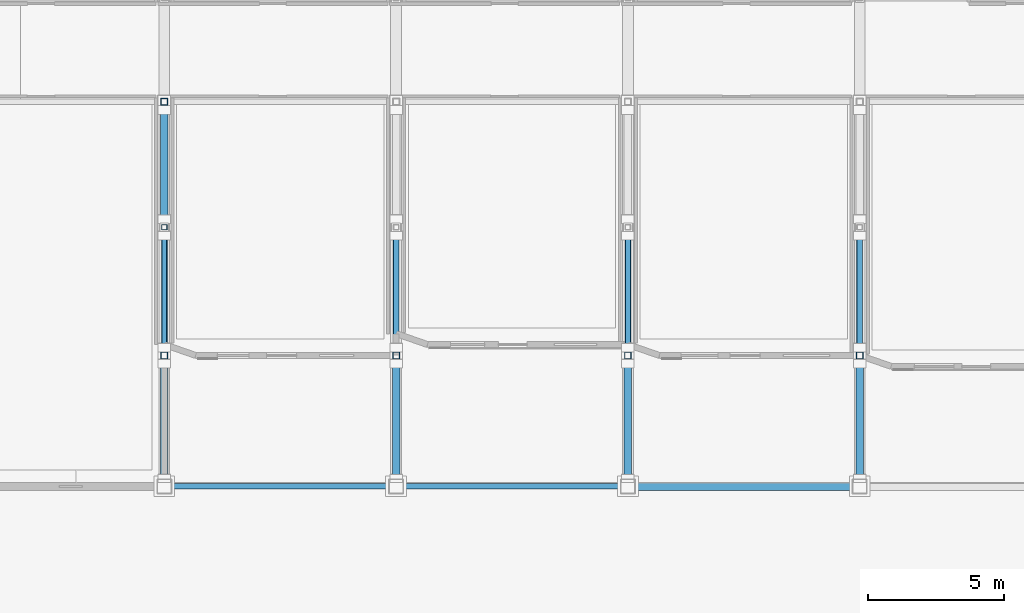
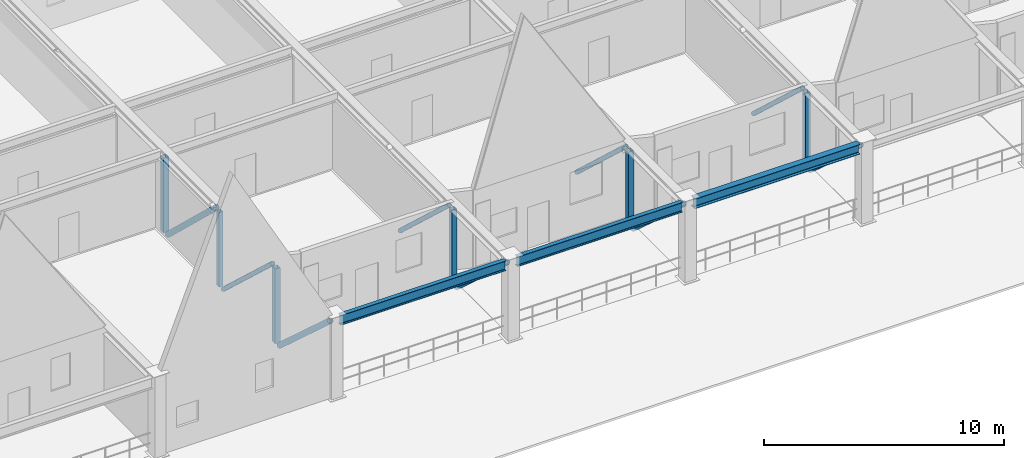
# One storey, part 29 of 78: 15 members, 3 beams.
"""IFC4 building model written with IfcOpenShell, lengths in metres."""

from ifc_helpers import new_model, si_unit, direction, frame, origin, origin_2d, place, context, subcontext, project, spatial, hollow_rectangle, hollow_circle, i_section, extrude, material, material_profile, profile_set, type_object, element, save


model = new_model("IFC4")

# Units and contexts
model_context = context("Model", 3, precision=1e-05, world=origin(), true_north=direction((0.0, 1.0)))
body_context = subcontext(model_context, "Body", "Model", "MODEL_VIEW")
ifc_project = project(units=[si_unit("LENGTHUNIT", "METRE"), si_unit("AREAUNIT", "SQUARE_METRE"), si_unit("VOLUMEUNIT", "CUBIC_METRE"), si_unit("PLANEANGLEUNIT", "RADIAN"), si_unit("MASSUNIT", "GRAM", prefix="KILO"), si_unit("THERMODYNAMICTEMPERATUREUNIT", "KELVIN"), si_unit("POWERUNIT", "WATT")], contexts=[model_context])

# Site, building, storey
site_placement = place(None, origin())
site = spatial("IfcSite", under=ifc_project, at=site_placement, CompositionType="ELEMENT")
building_placement = place(site_placement, origin())
building = spatial("IfcBuilding", under=site, at=building_placement, Name="Zhenchuan Central Fire Station", CompositionType="ELEMENT")
storey_placement = place(building_placement, frame((0.0, 0.0, 5.85009765625)))
storey = spatial("IfcBuildingStorey", under=building, at=storey_placement, Name="L02", CompositionType="ELEMENT", Elevation=5.85009765625)

# Beams
ifc_material = material(Name="Steel Q355B", Category="steel")
ifc_material_profile_1 = material_profile(ifc_material, i_section(OverallWidth=0.300048828125, OverallDepth=0.5, WebThickness=0.010986328125, FlangeThickness=0.01806640625, FilletRadius=0.02197265625, at=origin_2d()), Name="HM 500x300")
ifc_profile_set_1 = profile_set([ifc_material_profile_1], Name="Steel Q355B")
beam_type_1 = type_object("IfcBeamType", Name="BM-HM500-INT", PredefinedType="BEAM", material=ifc_profile_set_1)
beam_1_placement = place(storey_placement, frame((115.77490234375, 6.5, 3.75), z_axis=(1.0, 0.0, 0.0), x_axis=(0.0, 1.0, 0.0)))
element("IfcBeam", 1, at=beam_1_placement, inside=storey, type_object=beam_type_1, Name="L03 Girder EW 0202", PredefinedType="BEAM", context=body_context, shape_type="SweptSolid", body=[
    extrude(i_section(OverallWidth=0.300048828125, OverallDepth=0.5, WebThickness=0.010986328125, FlangeThickness=0.01806640625, FilletRadius=0.02197265625, at=origin_2d()), origin(), (0.0, 0.0, 1.0), 7.9501953125),
])
ifc_material_profile_2 = material_profile(ifc_material, i_section(OverallWidth=0.199951171875, OverallDepth=0.5, WebThickness=0.010009765625, FlangeThickness=0.01611328125, FilletRadius=0.02001953125, at=origin_2d()), Name="HN 500x200")
ifc_profile_set_2 = profile_set([ifc_material_profile_2], Name="Steel Q355B")
beam_type_2 = type_object("IfcBeamType", Name="BM-HN500-INT", PredefinedType="BEAM", material=ifc_profile_set_2)
beam_2_placement = place(storey_placement, frame((98.77490234375, 6.5, 3.75), z_axis=(1.0, 0.0, 0.0), x_axis=(0.0, 1.0, 0.0)))
element("IfcBeam", 2, at=beam_2_placement, inside=storey, type_object=beam_type_2, Name="L03 Girder EW 0200", PredefinedType="BEAM", context=body_context, shape_type="SweptSolid", body=[
    extrude(i_section(OverallWidth=0.199951171875, OverallDepth=0.5, WebThickness=0.010009765625, FlangeThickness=0.01611328125, FilletRadius=0.02001953125, at=origin_2d()), origin(), (0.0, 0.0, 1.0), 7.9501953125),
])

# Members
ifc_material_profile_3 = material_profile(ifc_material, hollow_circle(Radius=0.109619140625, WallThickness=0.010009765625, at=origin_2d()), Name="CHS 219.1x10")
ifc_profile_set_3 = profile_set([ifc_material_profile_3], Name="Steel Q355B")
member_type_1 = type_object("IfcMemberType", Name="MB-BR-CHS219", PredefinedType="BRACE", material=ifc_profile_set_3)
for number, where, z_axis, x_axis, name in (
    (3, (98.5, 11.60009765625, 3.599853515625), (0.0, 0.733413833136, -0.679782427961), (-1.0, 0.0, 0.0), "Transfer Truss TT-06 Web Diagonal 2"),
    (4, (107.0, 11.60009765625, 3.599853515625), (0.0, 0.733413833136, -0.679782427961), (-1.0, 0.0, 0.0), "Transfer Truss TT-07 Web Diagonal 2"),
    (5, (115.5, 11.60009765625, 3.599853515625), (0.0, 0.733413833136, -0.679782427961), (-1.0, 0.0, 0.0), "Transfer Truss TT-08 Web Diagonal 2"),
    (6, (124.0, 11.60009765625, 3.599853515625), (0.0, 0.733413833136, -0.679782427961), (-1.0, 0.0, 0.0), "Transfer Truss TT-09 Web Diagonal 2"),
):
    element("IfcMember", number, at=place(storey_placement, frame(where, z_axis=z_axis, x_axis=x_axis)), inside=storey, type_object=member_type_1, Name=name, PredefinedType="BRACE", context=body_context, shape_type="SweptSolid", body=[
        extrude(hollow_circle(Radius=0.109619140625, WallThickness=0.010009765625, at=origin_2d()), origin(), (0.0, 0.0, 1.0), 5.590087890625),
    ])
ifc_material_profile_4 = material_profile(ifc_material, hollow_circle(Radius=0.136474609375, WallThickness=0.011962890625, at=origin_2d()), Name="CHS 273x12")
ifc_profile_set_4 = profile_set([ifc_material_profile_4], Name="Steel Q355B")
member_type_2 = type_object("IfcMemberType", Name="MB-BR-CHS273", PredefinedType="BRACE", material=ifc_profile_set_4)
member_1_placement = place(storey_placement, frame((98.5, 6.800048828125, 3.599853515625), z_axis=(0.0, 0.741527609628, -0.670922353302), x_axis=(-1.0, 0.0, 0.0)))
element("IfcMember", 7, at=member_1_placement, inside=storey, type_object=member_type_2, Name="Transfer Truss TT-06 Web Diagonal 1", PredefinedType="BRACE", context=body_context, shape_type="SweptSolid", body=[
    extrude(hollow_circle(Radius=0.136474609375, WallThickness=0.011962890625, at=origin_2d()), origin(), (0.0, 0.0, 1.0), 5.663818359375),
])
member_2_placement = place(storey_placement, frame((98.5, 16.300048828125, 3.599853515625), z_axis=(0.0, 0.724995014376, -0.688754113694), x_axis=(-1.0, 0.0, 0.0)))
element("IfcMember", 8, at=member_2_placement, inside=storey, type_object=member_type_2, Name="Transfer Truss TT-06 Web Diagonal 3", PredefinedType="BRACE", context=body_context, shape_type="SweptSolid", body=[
    extrude(hollow_circle(Radius=0.136474609375, WallThickness=0.011962890625, at=origin_2d()), origin(), (0.0, 0.0, 1.0), 5.517333984375),
])
for number, where, z_axis, x_axis, name in (
    (9, (107.0, 6.800048828125, 3.599853515625), (0.0, 0.741527609628, -0.670922353302), (-1.0, 0.0, 0.0), "Transfer Truss TT-07 Web Diagonal 1"),
    (10, (115.5, 6.800048828125, 3.599853515625), (0.0, 0.741527609628, -0.670922353302), (-1.0, 0.0, 0.0), "Transfer Truss TT-08 Web Diagonal 1"),
    (11, (124.0, 6.800048828125, 3.599853515625), (0.0, 0.741527609628, -0.670922353302), (-1.0, 0.0, 0.0), "Transfer Truss TT-09 Web Diagonal 1"),
):
    element("IfcMember", number, at=place(storey_placement, frame(where, z_axis=z_axis, x_axis=x_axis)), inside=storey, type_object=member_type_2, Name=name, PredefinedType="BRACE", context=body_context, shape_type="SweptSolid", body=[
        extrude(hollow_circle(Radius=0.136474609375, WallThickness=0.011962890625, at=origin_2d()), origin(), (0.0, 0.0, 1.0), 5.663818359375),
    ])
ifc_material_profile_5 = material_profile(ifc_material, hollow_rectangle(XDim=0.199951171875, YDim=0.199951171875, WallThickness=0.010009765625, at=origin_2d()), Name="SHS 200x200x10")
ifc_profile_set_5 = profile_set([ifc_material_profile_5], Name="Steel Q355B")
member_type_3 = type_object("IfcMemberType", Name="MB-CH-SHS200", PredefinedType="CHORD", material=ifc_profile_set_5)
member_3_placement = place(storey_placement, frame((98.5, 16.0, -0.2001953125), z_axis=(0.0, 0.0, 1.0), x_axis=(1.0, 0.0, 0.0)))
element("IfcMember", 12, at=member_3_placement, inside=storey, type_object=member_type_3, Name="Transfer Truss TT-06 Web Post 2", PredefinedType="CHORD", context=body_context, shape_type="SweptSolid", body=[
    extrude(hollow_rectangle(XDim=0.199951171875, YDim=0.199951171875, WallThickness=0.010009765625, at=origin_2d()), origin(), (0.0, 0.0, 1.0), 3.800048828125),
])
ifc_material_profile_6 = material_profile(ifc_material, hollow_rectangle(XDim=0.25, YDim=0.25, WallThickness=0.011962890625, at=origin_2d()), Name="SHS 250x250x12")
ifc_profile_set_6 = profile_set([ifc_material_profile_6], Name="Steel Q355B")
member_type_4 = type_object("IfcMemberType", Name="MB-CH-SHS250", PredefinedType="CHORD", material=ifc_profile_set_6)
for number, where, z_axis, x_axis, name in (
    (13, (98.5, 11.300048828125, -0.2001953125), (0.0, 0.0, 1.0), (1.0, 0.0, 0.0), "Transfer Truss TT-06 Web Post 1"),
    (14, (98.5, 20.60009765625, -0.2001953125), (0.0, 0.0, 1.0), (1.0, 0.0, 0.0), "Transfer Truss TT-06 Web Post 3"),
    (15, (107.0, 11.300048828125, -0.2001953125), (0.0, 0.0, 1.0), (1.0, 0.0, 0.0), "Transfer Truss TT-07 Web Post 1"),
    (16, (115.5, 11.300048828125, -0.2001953125), (0.0, 0.0, 1.0), (1.0, 0.0, 0.0), "Transfer Truss TT-08 Web Post 1"),
    (17, (124.0, 11.300048828125, -0.2001953125), (0.0, 0.0, 1.0), (1.0, 0.0, 0.0), "Transfer Truss TT-09 Web Post 1"),
):
    element("IfcMember", number, at=place(storey_placement, frame(where, z_axis=z_axis, x_axis=x_axis)), inside=storey, type_object=member_type_4, Name=name, PredefinedType="CHORD", context=body_context, shape_type="SweptSolid", body=[
        extrude(hollow_rectangle(XDim=0.25, YDim=0.25, WallThickness=0.011962890625, at=origin_2d()), origin(), (0.0, 0.0, 1.0), 3.800048828125),
    ])

# Beam
ifc_material_profile_7 = material_profile(ifc_material, i_section(OverallWidth=0.199951171875, OverallDepth=0.5, WebThickness=0.010009765625, FlangeThickness=0.01611328125, FilletRadius=0.02001953125, at=origin_2d()), Name="HN 500x200")
ifc_profile_set_7 = profile_set([ifc_material_profile_7], Name="Steel Q355B")
beam_type_3 = type_object("IfcBeamType", Name="SP-HN500-INT", PredefinedType="SPANDREL", material=ifc_profile_set_7)
beam_3_placement = place(storey_placement, frame((107.27490234375, 6.5, 3.75), z_axis=(1.0, 0.0, 0.0), x_axis=(0.0, 1.0, 0.0)))
element("IfcBeam", 18, at=beam_3_placement, inside=storey, type_object=beam_type_3, Name="L03 Girder EW 0201", PredefinedType="SPANDREL", context=body_context, shape_type="SweptSolid", body=[
    extrude(i_section(OverallWidth=0.199951171875, OverallDepth=0.5, WebThickness=0.010009765625, FlangeThickness=0.01611328125, FilletRadius=0.02001953125, at=origin_2d()), origin(), (0.0, 0.0, 1.0), 7.9501953125),
])

save(model, "model.ifc")
